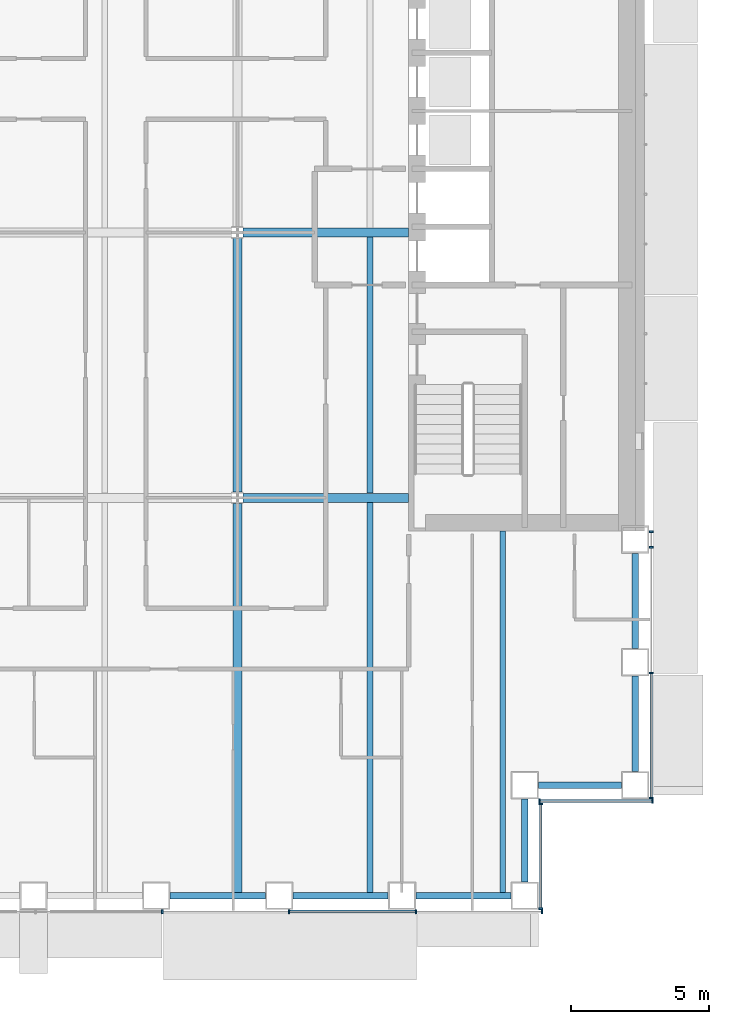
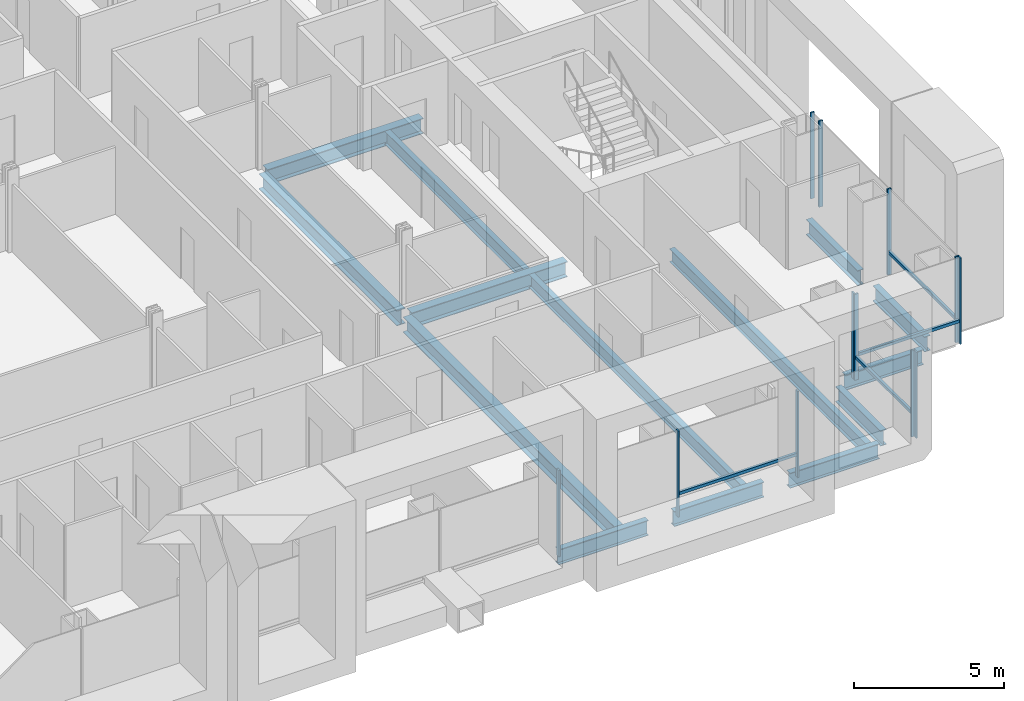
# One storey, part 4 of 25: 16 members, 14 beams, 4 elements without a shape of their own.
"""IFC4 building model written with IfcOpenShell, lengths in metres."""

from ifc_helpers import new_model, si_unit, direction, frame, origin, origin_2d, place, context, subcontext, project, spatial, rectangle, i_section, extrude, material, material_profile, profile_set, type_object, element, aggregate, save


model = new_model("IFC4")

# Units and contexts
model_context = context("Model", 3, precision=1e-05, world=origin(), true_north=direction((0.0, 1.0)))
body_context = subcontext(model_context, "Body", "Model", "MODEL_VIEW")
ifc_project = project(units=[si_unit("LENGTHUNIT", "METRE"), si_unit("AREAUNIT", "SQUARE_METRE"), si_unit("VOLUMEUNIT", "CUBIC_METRE"), si_unit("PLANEANGLEUNIT", "RADIAN"), si_unit("MASSUNIT", "GRAM", prefix="KILO")], contexts=[model_context])

# Site, building, storey
site_placement = place(None, origin())
site = spatial("IfcSite", under=ifc_project, at=site_placement, CompositionType="ELEMENT")
building_placement = place(site_placement, origin())
building = spatial("IfcBuilding", under=site, at=building_placement, Name="Cobrizo Arcos Hotel Tower", CompositionType="ELEMENT")
storey_placement = place(building_placement, frame((0.0, 0.0, 53.0)))
storey = spatial("IfcBuildingStorey", under=building, at=storey_placement, Name="L11", CompositionType="ELEMENT", Elevation=53.0)

# Curtain wall, members
ifc_material_1 = material(Name="Aluminium 6063-T6 anodised bronze", Category="aluminium")
curtain_wall_type = type_object("IfcCurtainWallType", Name="CW-A guest facade", PredefinedType="NOTDEFINED", material=ifc_material_1)
curtain_wall_1_placement = place(storey_placement, origin())
curtain_wall_1 = element("IfcCurtainWall", 1, at=curtain_wall_1_placement, inside=storey, type_object=curtain_wall_type, Name="CW-A L11 S face", PredefinedType="NOTDEFINED")
ifc_material_profile_1 = material_profile(ifc_material_1, rectangle(XDim=0.14990234375, YDim=0.06005859375, at=origin_2d()), Name="CW-A mullion 150x60")
ifc_profile_set_1 = profile_set([ifc_material_profile_1], Name="Aluminium 6063-T6 anodised bronze")
member_type_1 = type_object("IfcMemberType", Name="CW-A mullion 150x60", PredefinedType="MULLION", material=ifc_profile_set_1)
member_1_placement = place(storey_placement, frame((6.88330078125, -24.574951171875, 0.0), z_axis=(0.0, 0.0, 1.0), x_axis=(0.0, -1.0, 0.0)))
member_1 = element("IfcMember", 2, at=member_1_placement, type_object=member_type_1, Name="CW-A mullion 7", PredefinedType="MULLION", context=body_context, shape_type="SweptSolid", body=[
    extrude(rectangle(XDim=0.14990234375, YDim=0.06005859375, at=origin_2d()), origin(), (0.0, 0.0, 1.0), 3.5),
])
member_2_placement = place(storey_placement, frame((11.47216796875, -24.574951171875, 0.0), z_axis=(0.0, 0.0, 1.0), x_axis=(0.0, -1.0, 0.0)))
member_2 = element("IfcMember", 3, at=member_2_placement, type_object=member_type_1, Name="CW-A mullion 8", PredefinedType="MULLION", context=body_context, shape_type="SweptSolid", body=[
    extrude(rectangle(XDim=0.14990234375, YDim=0.06005859375, at=origin_2d()), origin(), (0.0, 0.0, 1.0), 3.5),
])
member_3_placement = place(storey_placement, frame((16.06103515625, -24.574951171875, 0.0), z_axis=(0.0, 0.0, 1.0), x_axis=(0.0, -1.0, 0.0)))
member_3 = element("IfcMember", 4, at=member_3_placement, type_object=member_type_1, Name="CW-A mullion 9", PredefinedType="MULLION", context=body_context, shape_type="SweptSolid", body=[
    extrude(rectangle(XDim=0.14990234375, YDim=0.06005859375, at=origin_2d()), origin(), (0.0, 0.0, 1.0), 3.5),
])
member_4_placement = place(storey_placement, frame((20.6201171875, -24.574951171875, 0.0), z_axis=(0.0, 0.0, 1.0), x_axis=(0.0, -1.0, 0.0)))
member_4 = element("IfcMember", 5, at=member_4_placement, type_object=member_type_1, Name="CW-A mullion 10", PredefinedType="MULLION", context=body_context, shape_type="SweptSolid", body=[
    extrude(rectangle(XDim=0.14990234375, YDim=0.06005859375, at=origin_2d()), origin(), (0.0, 0.0, 1.0), 3.5),
])

curtain_wall_2_placement = place(storey_placement, origin())
curtain_wall_2 = element("IfcCurtainWall", 6, at=curtain_wall_2_placement, inside=storey, type_object=curtain_wall_type, Name="CW-A L11 E face", PredefinedType="NOTDEFINED")
member_5_placement = place(storey_placement, frame((20.574951171875, -24.469970703125, 0.0), z_axis=(0.0, 0.0, 1.0), x_axis=(1.0, 0.0, 0.0)))
member_5 = element("IfcMember", 7, at=member_5_placement, type_object=member_type_1, Name="CW-A mullion 1", PredefinedType="MULLION", context=body_context, shape_type="SweptSolid", body=[
    extrude(rectangle(XDim=0.14990234375, YDim=0.06005859375, at=origin_2d()), origin(), (0.0, 0.0, 1.0), 3.5),
])
member_6_placement = place(storey_placement, frame((20.574951171875, -20.679931640625, 0.0), z_axis=(0.0, 0.0, 1.0), x_axis=(1.0, 0.0, 0.0)))
member_6 = element("IfcMember", 8, at=member_6_placement, type_object=member_type_1, Name="CW-A mullion 2", PredefinedType="MULLION", context=body_context, shape_type="SweptSolid", body=[
    extrude(rectangle(XDim=0.14990234375, YDim=0.06005859375, at=origin_2d()), origin(), (0.0, 0.0, 1.0), 3.5),
])

curtain_wall_3_placement = place(storey_placement, origin())
curtain_wall_3 = element("IfcCurtainWall", 9, at=curtain_wall_3_placement, inside=storey, type_object=curtain_wall_type, Name="CW-A L11 S face", PredefinedType="NOTDEFINED")
member_7_placement = place(storey_placement, frame((20.530029296875, -20.574951171875, 0.0), z_axis=(0.0, 0.0, 1.0), x_axis=(0.0, -1.0, 0.0)))
member_7 = element("IfcMember", 10, at=member_7_placement, type_object=member_type_1, Name="CW-A mullion 1", PredefinedType="MULLION", context=body_context, shape_type="SweptSolid", body=[
    extrude(rectangle(XDim=0.14990234375, YDim=0.06005859375, at=origin_2d()), origin(), (0.0, 0.0, 1.0), 3.5),
])
member_8_placement = place(storey_placement, frame((24.6201171875, -20.574951171875, 0.0), z_axis=(0.0, 0.0, 1.0), x_axis=(0.0, -1.0, 0.0)))
member_8 = element("IfcMember", 11, at=member_8_placement, type_object=member_type_1, Name="CW-A mullion 2", PredefinedType="MULLION", context=body_context, shape_type="SweptSolid", body=[
    extrude(rectangle(XDim=0.14990234375, YDim=0.06005859375, at=origin_2d()), origin(), (0.0, 0.0, 1.0), 3.5),
])

curtain_wall_4_placement = place(storey_placement, origin())
curtain_wall_4 = element("IfcCurtainWall", 12, at=curtain_wall_4_placement, inside=storey, type_object=curtain_wall_type, Name="CW-A L11 E face", PredefinedType="NOTDEFINED")
member_9_placement = place(storey_placement, frame((24.574951171875, -20.469970703125, 0.0), z_axis=(0.0, 0.0, 1.0), x_axis=(1.0, 0.0, 0.0)))
member_9 = element("IfcMember", 13, at=member_9_placement, type_object=member_type_1, Name="CW-A mullion 1", PredefinedType="MULLION", context=body_context, shape_type="SweptSolid", body=[
    extrude(rectangle(XDim=0.14990234375, YDim=0.06005859375, at=origin_2d()), origin(), (0.0, 0.0, 1.0), 3.5),
])
member_10_placement = place(storey_placement, frame((24.574951171875, -15.9443359375, 0.0), z_axis=(0.0, 0.0, 1.0), x_axis=(1.0, 0.0, 0.0)))
member_10 = element("IfcMember", 14, at=member_10_placement, type_object=member_type_1, Name="CW-A mullion 2", PredefinedType="MULLION", context=body_context, shape_type="SweptSolid", body=[
    extrude(rectangle(XDim=0.14990234375, YDim=0.06005859375, at=origin_2d()), origin(), (0.0, 0.0, 1.0), 3.5),
])
member_11_placement = place(storey_placement, frame((24.574951171875, -11.388916015625, 0.0), z_axis=(0.0, 0.0, 1.0), x_axis=(1.0, 0.0, 0.0)))
member_11 = element("IfcMember", 15, at=member_11_placement, type_object=member_type_1, Name="CW-A mullion 3", PredefinedType="MULLION", context=body_context, shape_type="SweptSolid", body=[
    extrude(rectangle(XDim=0.14990234375, YDim=0.06005859375, at=origin_2d()), origin(), (0.0, 0.0, 1.0), 3.5),
])
member_12_placement = place(storey_placement, frame((24.574951171875, -10.830078125, 0.0), z_axis=(0.0, 0.0, 1.0), x_axis=(1.0, 0.0, 0.0)))
member_12 = element("IfcMember", 16, at=member_12_placement, type_object=member_type_1, Name="CW-A mullion 4", PredefinedType="MULLION", context=body_context, shape_type="SweptSolid", body=[
    extrude(rectangle(XDim=0.14990234375, YDim=0.06005859375, at=origin_2d()), origin(), (0.0, 0.0, 1.0), 3.5),
])

# Member
ifc_material_profile_2 = material_profile(ifc_material_1, rectangle(XDim=0.10009765625, YDim=0.1201171875, at=origin_2d()), Name="CW-A transom 120x100")
ifc_profile_set_2 = profile_set([ifc_material_profile_2], Name="Aluminium 6063-T6 anodised bronze")
member_type_2 = type_object("IfcMemberType", Name="CW-A transom 120x100", PredefinedType="USERDEFINED", material=ifc_profile_set_2)
member_13_placement = place(storey_placement, frame((11.502197265625, -24.574951171875, 0.929931640625), z_axis=(1.0, 0.0, 0.0), x_axis=(0.0, 1.0, 0.0)))
member_13 = element("IfcMember", 17, at=member_13_placement, type_object=member_type_2, Name="CW-A transom 520", ObjectType="TRANSOM", PredefinedType="USERDEFINED", context=body_context, shape_type="SweptSolid", body=[
    extrude(rectangle(XDim=0.10009765625, YDim=0.1201171875, at=origin_2d()), origin(), (0.0, 0.0, 1.0), 4.52880859375),
])

aggregate(curtain_wall_1, [member_1, member_2, member_3, member_4, member_13])

member_14_placement = place(storey_placement, frame((20.574951171875, -24.43994140625, 0.929931640625), z_axis=(0.0, 1.0, 0.0), x_axis=(-1.0, 0.0, 0.0)))
member_14 = element("IfcMember", 18, at=member_14_placement, type_object=member_type_2, Name="CW-A transom 522", ObjectType="TRANSOM", PredefinedType="USERDEFINED", context=body_context, shape_type="SweptSolid", body=[
    extrude(rectangle(XDim=0.10009765625, YDim=0.1201171875, at=origin_2d()), origin(), (0.0, 0.0, 1.0), 3.72998046875),
])

aggregate(curtain_wall_2, [member_5, member_6, member_14])

member_15_placement = place(storey_placement, frame((20.56005859375, -20.574951171875, 0.929931640625), z_axis=(1.0, 0.0, 0.0), x_axis=(0.0, 1.0, 0.0)))
member_15 = element("IfcMember", 19, at=member_15_placement, type_object=member_type_2, Name="CW-A transom 523", ObjectType="TRANSOM", PredefinedType="USERDEFINED", context=body_context, shape_type="SweptSolid", body=[
    extrude(rectangle(XDim=0.10009765625, YDim=0.1201171875, at=origin_2d()), origin(), (0.0, 0.0, 1.0), 4.030029296875),
])

aggregate(curtain_wall_3, [member_7, member_8, member_15])

member_16_placement = place(storey_placement, frame((24.574951171875, -20.43994140625, 0.929931640625), z_axis=(0.0, 1.0, 0.0), x_axis=(-1.0, 0.0, 0.0)))
member_16 = element("IfcMember", 20, at=member_16_placement, type_object=member_type_2, Name="CW-A transom 524", ObjectType="TRANSOM", PredefinedType="USERDEFINED", context=body_context, shape_type="SweptSolid", body=[
    extrude(rectangle(XDim=0.10009765625, YDim=0.1201171875, at=origin_2d()), origin(), (0.0, 0.0, 1.0), 4.465576171875),
])

aggregate(curtain_wall_4, [member_9, member_10, member_11, member_12, member_16])

# Beams
ifc_material_2 = material(Name="Steel ASTM A992 Grade 50", Category="steel")
ifc_material_profile_3 = material_profile(ifc_material_2, i_section(OverallWidth=0.209228515625, OverallDepth=0.533447265625, WebThickness=0.01025390625, FlangeThickness=0.015625, at=origin_2d()), Name="W21X62")
ifc_profile_set_3 = profile_set([ifc_material_profile_3], Name="Steel ASTM A992 Grade 50")
beam_type_1 = type_object("IfcBeamType", Name="W21X62 joist", PredefinedType="JOIST", material=ifc_profile_set_3)
beam_1_placement = place(storey_placement, frame((14.39990234375, -23.909912109375, -0.416748046875), z_axis=(0.0, 1.0, 0.0), x_axis=(-1.0, 0.0, 0.0)))
element("IfcBeam", 21, at=beam_1_placement, inside=storey, type_object=beam_type_1, Name="Floor joist J1, L11, no. 015", PredefinedType="JOIST", context=body_context, shape_type="SweptSolid", body=[
    extrude(i_section(OverallWidth=0.209228515625, OverallDepth=0.533447265625, WebThickness=0.01025390625, FlangeThickness=0.015625, at=origin_2d()), origin(), (0.0, 0.0, 1.0), 14.14599609375),
])
beam_2_placement = place(storey_placement, frame((14.39990234375, -9.43603515625, -0.416748046875), z_axis=(0.0, 1.0, 0.0), x_axis=(-1.0, 0.0, 0.0)))
element("IfcBeam", 22, at=beam_2_placement, inside=storey, type_object=beam_type_1, Name="Floor joist J1, L11, no. 016", PredefinedType="JOIST", context=body_context, shape_type="SweptSolid", body=[
    extrude(i_section(OverallWidth=0.209228515625, OverallDepth=0.533447265625, WebThickness=0.01025390625, FlangeThickness=0.015625, at=origin_2d()), origin(), (0.0, 0.0, 1.0), 9.272216796875),
])
beam_3_placement = place(storey_placement, frame((19.199951171875, -23.909912109375, -0.416748046875), z_axis=(0.0, 1.0, 0.0), x_axis=(-1.0, 0.0, 0.0)))
element("IfcBeam", 23, at=beam_3_placement, inside=storey, type_object=beam_type_1, Name="Floor joist J1, L11, no. 019", PredefinedType="JOIST", context=body_context, shape_type="SweptSolid", body=[
    extrude(i_section(OverallWidth=0.209228515625, OverallDepth=0.533447265625, WebThickness=0.01025390625, FlangeThickness=0.015625, at=origin_2d()), origin(), (0.0, 0.0, 1.0), 13.099853515625),
])
ifc_material_profile_4 = material_profile(ifc_material_2, i_section(OverallWidth=0.32763671875, OverallDepth=0.622314453125, WebThickness=0.015380859375, FlangeThickness=0.0244140625, at=origin_2d()), Name="W24X131")
ifc_profile_set_4 = profile_set([ifc_material_profile_4], Name="Steel ASTM A992 Grade 50")
beam_type_2 = type_object("IfcBeamType", Name="W24X131 girder", PredefinedType="BEAM", material=ifc_profile_set_4)
for number, where, z_axis, x_axis, name in (
    (24, (9.804443359375, -9.60009765625, -0.461181640625), (1.0, 0.0, 0.0), (0.0, 1.0, 0.0), "Floor girder G1, L11, no. 004"),
    (25, (9.804443359375, 0.0, -0.461181640625), (1.0, 0.0, 0.0), (0.0, 1.0, 0.0), "Floor girder G1, L11, no. 008"),
):
    element("IfcBeam", number, at=place(storey_placement, frame(where, z_axis=z_axis, x_axis=x_axis)), inside=storey, type_object=beam_type_2, Name=name, PredefinedType="BEAM", context=body_context, shape_type="SweptSolid", body=[
        extrude(i_section(OverallWidth=0.32763671875, OverallDepth=0.622314453125, WebThickness=0.015380859375, FlangeThickness=0.0244140625, at=origin_2d()), origin(), (0.0, 0.0, 1.0), 5.985595703125),
    ])
beam_4_placement = place(storey_placement, frame((9.60009765625, -23.909912109375, -0.461181640625), z_axis=(0.0, 1.0, 0.0), x_axis=(-1.0, 0.0, 0.0)))
element("IfcBeam", 26, at=beam_4_placement, inside=storey, type_object=beam_type_2, Name="Floor girder G1, L11, no. 021", PredefinedType="BEAM", context=body_context, shape_type="SweptSolid", body=[
    extrude(i_section(OverallWidth=0.32763671875, OverallDepth=0.622314453125, WebThickness=0.015380859375, FlangeThickness=0.0244140625, at=origin_2d()), origin(), (0.0, 0.0, 1.0), 14.10546875),
])
beam_5_placement = place(storey_placement, frame((9.60009765625, -9.3955078125, -0.461181640625), z_axis=(0.0, 1.0, 0.0), x_axis=(-1.0, 0.0, 0.0)))
element("IfcBeam", 27, at=beam_5_placement, inside=storey, type_object=beam_type_2, Name="Floor girder G1, L11, no. 022", PredefinedType="BEAM", context=body_context, shape_type="SweptSolid", body=[
    extrude(i_section(OverallWidth=0.32763671875, OverallDepth=0.622314453125, WebThickness=0.015380859375, FlangeThickness=0.0244140625, at=origin_2d()), origin(), (0.0, 0.0, 1.0), 9.191162109375),
])
ifc_material_profile_5 = material_profile(ifc_material_2, i_section(OverallWidth=0.23046875, OverallDepth=0.6171875, WebThickness=0.01318359375, FlangeThickness=0.022216796875, at=origin_2d()), Name="W24X94")
ifc_profile_set_5 = profile_set([ifc_material_profile_5], Name="Steel ASTM A992 Grade 50")
beam_type_3 = type_object("IfcBeamType", Name="W24X94 spandrel", PredefinedType="SPANDREL", material=ifc_profile_set_5)
beam_6_placement = place(storey_placement, frame((7.1669921875, -24.0, -0.45849609375), z_axis=(1.0, 0.0, 0.0), x_axis=(0.0, 1.0, 0.0)))
element("IfcBeam", 28, at=beam_6_placement, inside=storey, type_object=beam_type_3, Name="Spandrel beam W24X94, L11, no. 007", PredefinedType="SPANDREL", context=body_context, shape_type="SweptSolid", body=[
    extrude(i_section(OverallWidth=0.23046875, OverallDepth=0.6171875, WebThickness=0.01318359375, FlangeThickness=0.022216796875, at=origin_2d()), origin(), (0.0, 0.0, 1.0), 3.444091796875),
])
beam_7_placement = place(storey_placement, frame((11.611083984375, -24.0, -0.45849609375), z_axis=(1.0, 0.0, 0.0), x_axis=(0.0, 1.0, 0.0)))
element("IfcBeam", 29, at=beam_7_placement, inside=storey, type_object=beam_type_3, Name="Spandrel beam W24X94, L11, no. 008", PredefinedType="SPANDREL", context=body_context, shape_type="SweptSolid", body=[
    extrude(i_section(OverallWidth=0.23046875, OverallDepth=0.6171875, WebThickness=0.01318359375, FlangeThickness=0.022216796875, at=origin_2d()), origin(), (0.0, 0.0, 1.0), 3.44482421875),
])
beam_8_placement = place(storey_placement, frame((16.055908203125, -24.0, -0.45849609375), z_axis=(1.0, 0.0, 0.0), x_axis=(0.0, 1.0, 0.0)))
element("IfcBeam", 30, at=beam_8_placement, inside=storey, type_object=beam_type_3, Name="Spandrel beam W24X94, L11, no. 009", PredefinedType="SPANDREL", context=body_context, shape_type="SweptSolid", body=[
    extrude(i_section(OverallWidth=0.23046875, OverallDepth=0.6171875, WebThickness=0.01318359375, FlangeThickness=0.022216796875, at=origin_2d()), origin(), (0.0, 0.0, 1.0), 3.444091796875),
])
for number, where, z_axis, x_axis, name in (
    (31, (20.0, -23.5, -0.45849609375), (0.0, 1.0, 0.0), (-1.0, 0.0, 0.0), "Spandrel beam W24X94, L11, no. 010"),
    (32, (20.5, -20.0, -0.45849609375), (1.0, 0.0, 0.0), (0.0, 1.0, 0.0), "Spandrel beam W24X94, L11, no. 011"),
):
    element("IfcBeam", number, at=place(storey_placement, frame(where, z_axis=z_axis, x_axis=x_axis)), inside=storey, type_object=beam_type_3, Name=name, PredefinedType="SPANDREL", context=body_context, shape_type="SweptSolid", body=[
        extrude(i_section(OverallWidth=0.23046875, OverallDepth=0.6171875, WebThickness=0.01318359375, FlangeThickness=0.022216796875, at=origin_2d()), origin(), (0.0, 0.0, 1.0), 3.0),
    ])
beam_9_placement = place(storey_placement, frame((24.0, -19.5, -0.45849609375), z_axis=(0.0, 1.0, 0.0), x_axis=(-1.0, 0.0, 0.0)))
element("IfcBeam", 33, at=beam_9_placement, inside=storey, type_object=beam_type_3, Name="Spandrel beam W24X94, L11, no. 012", PredefinedType="SPANDREL", context=body_context, shape_type="SweptSolid", body=[
    extrude(i_section(OverallWidth=0.23046875, OverallDepth=0.6171875, WebThickness=0.01318359375, FlangeThickness=0.022216796875, at=origin_2d()), origin(), (0.0, 0.0, 1.0), 3.444091796875),
])
beam_10_placement = place(storey_placement, frame((24.0, -15.055908203125, -0.45849609375), z_axis=(0.0, 1.0, 0.0), x_axis=(-1.0, 0.0, 0.0)))
element("IfcBeam", 34, at=beam_10_placement, inside=storey, type_object=beam_type_3, Name="Spandrel beam W24X94, L11, no. 013", PredefinedType="SPANDREL", context=body_context, shape_type="SweptSolid", body=[
    extrude(i_section(OverallWidth=0.23046875, OverallDepth=0.6171875, WebThickness=0.01318359375, FlangeThickness=0.022216796875, at=origin_2d()), origin(), (0.0, 0.0, 1.0), 3.44482421875),
])

save(model, "model.ifc")
